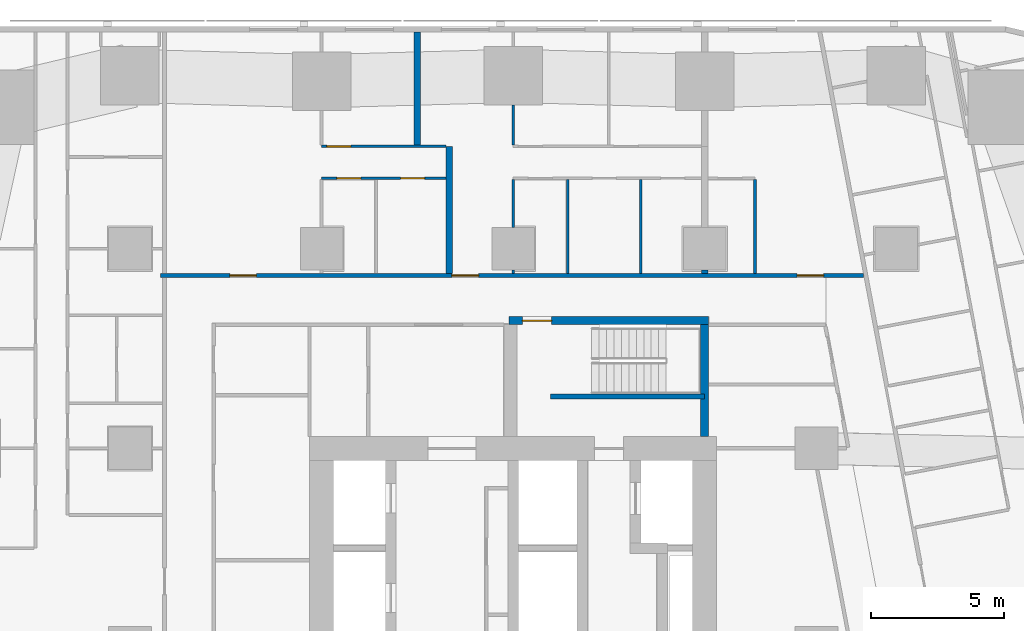
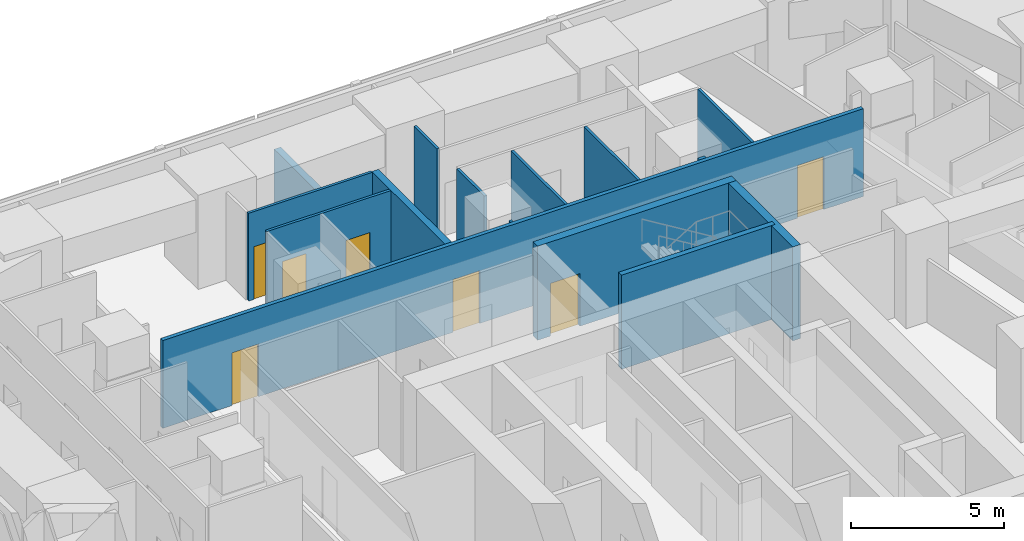
# One storey, part 10 of 17: 15 walls, 7 doors, 7 openings.
"""IFC4 building model written with IfcOpenShell, lengths in metres."""

from ifc_helpers import new_model, si_unit, direction, frame, frame_2d, origin, place, context, subcontext, project, spatial, rectangle, extrude, material, layer, layer_set, type_object, element, fill, save


model = new_model("IFC4")

# Units and contexts
model_context = context("Model", 3, precision=1e-05, world=origin(), true_north=direction((0.0, 1.0)))
body_context = subcontext(model_context, "Body", "Model", "MODEL_VIEW")
ifc_project = project(units=[si_unit("LENGTHUNIT", "METRE"), si_unit("AREAUNIT", "SQUARE_METRE"), si_unit("VOLUMEUNIT", "CUBIC_METRE"), si_unit("PLANEANGLEUNIT", "RADIAN"), si_unit("MASSUNIT", "GRAM", prefix="KILO")], contexts=[model_context])

# Site, building, storey
site_placement = place(None, origin())
site = spatial("IfcSite", under=ifc_project, at=site_placement, CompositionType="ELEMENT")
building_placement = place(site_placement, origin())
building = spatial("IfcBuilding", under=site, at=building_placement, Name="Sheger Commons Tower", CompositionType="ELEMENT")
storey_placement = place(building_placement, frame((0.0, 0.0, 119.14990234375)))
storey = spatial("IfcBuildingStorey", under=building, at=storey_placement, Name="L30", CompositionType="ELEMENT", Elevation=119.14990234375)

# Wall, openings, doors
ifc_material_1 = material(Name="Hollow concrete block masonry, skimmed both sides", Category="masonry")
ifc_layer_1 = layer(ifc_material_1, 0.14990234375)
ifc_layer_set_1 = layer_set([ifc_layer_1], Name="CORRIDOR WALL 150")
wall_type_1 = type_object("IfcWallType", Name="CORRIDOR WALL 150", PredefinedType="SOLIDWALL", material=ifc_layer_set_1)
wall_1_placement = place(storey_placement, frame((8.35009765625, 36.5, 0.0), z_axis=(0.0, 0.0, 1.0), x_axis=(1.0, 0.0, 0.0)))
wall_1 = element("IfcWall", 1, at=wall_1_placement, inside=storey, type_object=wall_type_1, Name="Corridor wall L30", PredefinedType="SOLIDWALL", context=body_context, shape_type="SweptSolid", body=[
    extrude(rectangle(XDim=26.414794921875, YDim=0.14990234375, at=frame_2d((13.20751953125, 0.0))), origin(), (0.0, 0.0, 1.0), 3.5),
])
opening_1_placement = place(wall_1_placement, frame((2.60009765625, 0.0, 0.0)))
opening_1 = element("IfcOpeningElement", 2, at=opening_1_placement, cuts=wall_1, Name="Opening D1", PredefinedType="OPENING", context=body_context, shape_type="SweptSolid", body=[
    extrude(rectangle(XDim=1.0, YDim=2.10009765625, at=frame_2d((0.5, 1.050048828125))), frame((0.0, 0.0849609375, 0.0), z_axis=(0.0, -1.0, 0.0), x_axis=(1.0, 0.0, 0.0)), (0.0, 0.0, 1.0), 0.169921875),
])
opening_2_placement = place(wall_1_placement, frame((10.948974609375, 0.0, 0.0)))
opening_2 = element("IfcOpeningElement", 3, at=opening_2_placement, cuts=wall_1, Name="Opening D1", PredefinedType="OPENING", context=body_context, shape_type="SweptSolid", body=[
    extrude(rectangle(XDim=1.0, YDim=2.10009765625, at=frame_2d((0.5, 1.050048828125))), frame((0.0, 0.0849609375, 0.0), z_axis=(0.0, -1.0, 0.0), x_axis=(1.0, 0.0, 0.0)), (0.0, 0.0, 1.0), 0.169921875),
])
opening_3_placement = place(wall_1_placement, frame((23.923095703125, 0.0, 0.0)))
opening_3 = element("IfcOpeningElement", 4, at=opening_3_placement, cuts=wall_1, Name="Opening D1", PredefinedType="OPENING", context=body_context, shape_type="SweptSolid", body=[
    extrude(rectangle(XDim=1.0, YDim=2.10009765625, at=frame_2d((0.5, 1.050048828125))), frame((0.0, 0.0849609375, 0.0), z_axis=(0.0, -1.0, 0.0), x_axis=(1.0, 0.0, 0.0)), (0.0, 0.0, 1.0), 0.169921875),
])
ifc_material_2 = material(Name="Steel door set, fire rated", Category="steel")
door_type_1 = type_object("IfcDoorType", Name="FLAT ENTRANCE DOOR 1000x2100", OperationType="NOTDEFINED", PredefinedType="DOOR", material=ifc_material_2)
door_1_placement = place(opening_1_placement, origin())
door_1 = element("IfcDoor", 5, at=door_1_placement, inside=storey, type_object=door_type_1, Name="Flat entrance door", OperationType="SINGLE_SWING_LEFT", OverallHeight=2.10009765625, OverallWidth=1.0, PredefinedType="DOOR", context=body_context, shape_type="SweptSolid", body=[
    extrude(rectangle(XDim=1.0, YDim=2.10009765625, at=frame_2d((0.5, 1.050048828125))), frame((0.0, 0.02490234375, 0.0), z_axis=(0.0, -1.0, 0.0), x_axis=(1.0, 0.0, 0.0)), (0.0, 0.0, 1.0), 0.050048828125),
])
fill(opening_1, door_1)
door_2_placement = place(opening_2_placement, origin())
door_2 = element("IfcDoor", 6, at=door_2_placement, inside=storey, type_object=door_type_1, Name="Flat entrance door", OperationType="SINGLE_SWING_LEFT", OverallHeight=2.10009765625, OverallWidth=1.0, PredefinedType="DOOR", context=body_context, shape_type="SweptSolid", body=[
    extrude(rectangle(XDim=1.0, YDim=2.10009765625, at=frame_2d((0.5, 1.050048828125))), frame((0.0, 0.02490234375, 0.0), z_axis=(0.0, -1.0, 0.0), x_axis=(1.0, 0.0, 0.0)), (0.0, 0.0, 1.0), 0.050048828125),
])
fill(opening_2, door_2)
door_3_placement = place(opening_3_placement, origin())
door_3 = element("IfcDoor", 7, at=door_3_placement, inside=storey, type_object=door_type_1, Name="Flat entrance door", OperationType="SINGLE_SWING_RIGHT", OverallHeight=2.10009765625, OverallWidth=1.0, PredefinedType="DOOR", context=body_context, shape_type="SweptSolid", body=[
    extrude(rectangle(XDim=1.0, YDim=2.10009765625, at=frame_2d((0.5, 1.050048828125))), frame((0.0, 0.02490234375, 0.0), z_axis=(0.0, -1.0, 0.0), x_axis=(1.0, 0.0, 0.0)), (0.0, 0.0, 1.0), 0.050048828125),
])
fill(opening_3, door_3)

# Walls
ifc_material_3 = material(Name="Dense concrete block masonry, plastered both sides (separating wall between flats)", Category="masonry")
ifc_layer_2 = layer(ifc_material_3, 0.25)
ifc_layer_set_2 = layer_set([ifc_layer_2], Name="DEMISING WALL 250")
wall_type_2 = type_object("IfcWallType", Name="DEMISING WALL 250", PredefinedType="SOLIDWALL", material=ifc_layer_set_2)
wall_2_placement = place(storey_placement, frame((18.0, 41.39990234375, 0.0), z_axis=(0.0, 0.0, 1.0), x_axis=(0.0, 1.0, 0.0)))
element("IfcWall", 8, at=wall_2_placement, inside=storey, type_object=wall_type_2, Name="Demising wall L30", PredefinedType="SOLIDWALL", context=body_context, shape_type="SweptSolid", body=[
    extrude(rectangle(XDim=4.25, YDim=0.25, at=frame_2d((2.125, 0.0))), origin(), (0.0, 0.0, 1.0), 2.2001953125),
])
wall_3_placement = place(storey_placement, frame((19.198974609375, 36.574951171875, 0.0), z_axis=(0.0, 0.0, 1.0), x_axis=(0.0, 1.0, 0.0)))
element("IfcWall", 9, at=wall_3_placement, inside=storey, type_object=wall_type_2, Name="Demising wall L30", PredefinedType="SOLIDWALL", context=body_context, shape_type="SweptSolid", body=[
    extrude(rectangle(XDim=4.775146484375, YDim=0.25, at=frame_2d((2.3876953125, 0.0))), origin(), (0.0, 0.0, 1.0), 3.5),
])
wall_4_placement = place(storey_placement, frame((28.800048828125, 36.574951171875, 0.0), z_axis=(0.0, 0.0, 1.0), x_axis=(0.0, 1.0, 0.0)))
element("IfcWall", 10, at=wall_4_placement, inside=storey, type_object=wall_type_2, Name="Demising wall L30", PredefinedType="SOLIDWALL", context=body_context, shape_type="SweptSolid", body=[
    extrude(rectangle(XDim=0.1240234375, YDim=0.25, at=frame_2d((0.06201171875, 0.0))), origin(), (0.0, 0.0, 1.0), 3.5),
])

# Wall, opening, door
ifc_material_4 = material(Name="Gypsum board on steel studs", Category="steel")
ifc_layer_3 = layer(ifc_material_4, 0.10009765625)
ifc_layer_set_3 = layer_set([ifc_layer_3], Name="PARTITION 100")
wall_type_3 = type_object("IfcWallType", Name="PARTITION 100", PredefinedType="PARTITIONING", material=ifc_layer_set_3)
wall_5_placement = place(storey_placement, frame((14.39990234375, 41.35009765625, 0.0), z_axis=(0.0, 0.0, 1.0), x_axis=(1.0, 0.0, 0.0)))
wall_5 = element("IfcWall", 11, at=wall_5_placement, inside=storey, type_object=wall_type_3, Name="Partition L30", PredefinedType="PARTITIONING", context=body_context, shape_type="SweptSolid", body=[
    extrude(rectangle(XDim=4.674072265625, YDim=0.10009765625, at=frame_2d((2.3369140625, 0.0))), origin(), (0.0, 0.0, 1.0), 3.5),
])
opening_4_placement = place(wall_5_placement, frame((0.199951171875, 0.0, 0.0)))
opening_4 = element("IfcOpeningElement", 12, at=opening_4_placement, cuts=wall_5, Name="Opening D2", PredefinedType="OPENING", context=body_context, shape_type="SweptSolid", body=[
    extrude(rectangle(XDim=0.89990234375, YDim=2.10009765625, at=frame_2d((0.449951171875, 1.050048828125))), frame((0.0, 0.06005859375, 0.0), z_axis=(0.0, -1.0, 0.0), x_axis=(1.0, 0.0, 0.0)), (0.0, 0.0, 1.0), 0.1201171875),
])
ifc_material_5 = material(Name="Timber door set", Category="wood")
door_type_2 = type_object("IfcDoorType", Name="INTERNAL DOOR 900x2100", OperationType="NOTDEFINED", PredefinedType="DOOR", material=ifc_material_5)
door_4_placement = place(opening_4_placement, origin())
door_4 = element("IfcDoor", 13, at=door_4_placement, inside=storey, type_object=door_type_2, Name="Main bedroom door", OperationType="SINGLE_SWING_LEFT", OverallHeight=2.10009765625, OverallWidth=0.89990234375, PredefinedType="DOOR", context=body_context, shape_type="SweptSolid", body=[
    extrude(rectangle(XDim=0.89990234375, YDim=2.10009765625, at=frame_2d((0.449951171875, 1.050048828125))), frame((0.0, 0.02490234375, 0.0), z_axis=(0.0, -1.0, 0.0), x_axis=(1.0, 0.0, 0.0)), (0.0, 0.0, 1.0), 0.050048828125),
])
fill(opening_4, door_4)

# Wall, openings, doors
wall_6_placement = place(storey_placement, frame((14.39990234375, 40.14990234375, 0.0), z_axis=(0.0, 0.0, 1.0), x_axis=(1.0, 0.0, 0.0)))
wall_6 = element("IfcWall", 14, at=wall_6_placement, inside=storey, type_object=wall_type_3, Name="Partition L30", PredefinedType="PARTITIONING", context=body_context, shape_type="SweptSolid", body=[
    extrude(rectangle(XDim=4.674072265625, YDim=0.10009765625, at=frame_2d((2.3369140625, 0.0))), origin(), (0.0, 0.0, 1.0), 3.5),
])
opening_5_placement = place(wall_6_placement, frame((0.574951171875, 0.0, 0.0)))
opening_5 = element("IfcOpeningElement", 15, at=opening_5_placement, cuts=wall_6, Name="Opening D2", PredefinedType="OPENING", context=body_context, shape_type="SweptSolid", body=[
    extrude(rectangle(XDim=0.89990234375, YDim=2.10009765625, at=frame_2d((0.449951171875, 1.050048828125))), frame((0.0, 0.06005859375, 0.0), z_axis=(0.0, -1.0, 0.0), x_axis=(1.0, 0.0, 0.0)), (0.0, 0.0, 1.0), 0.1201171875),
])
opening_6_placement = place(wall_6_placement, frame((2.97509765625, 0.0, 0.0)))
opening_6 = element("IfcOpeningElement", 16, at=opening_6_placement, cuts=wall_6, Name="Opening D2", PredefinedType="OPENING", context=body_context, shape_type="SweptSolid", body=[
    extrude(rectangle(XDim=0.89990234375, YDim=2.10009765625, at=frame_2d((0.449951171875, 1.050048828125))), frame((0.0, 0.06005859375, 0.0), z_axis=(0.0, -1.0, 0.0), x_axis=(1.0, 0.0, 0.0)), (0.0, 0.0, 1.0), 0.1201171875),
])
door_5_placement = place(opening_5_placement, origin())
door_5 = element("IfcDoor", 17, at=door_5_placement, inside=storey, type_object=door_type_2, Name="Bathroom door", OperationType="SINGLE_SWING_RIGHT", OverallHeight=2.10009765625, OverallWidth=0.89990234375, PredefinedType="DOOR", context=body_context, shape_type="SweptSolid", body=[
    extrude(rectangle(XDim=0.89990234375, YDim=2.10009765625, at=frame_2d((0.449951171875, 1.050048828125))), frame((0.0, 0.02490234375, 0.0), z_axis=(0.0, -1.0, 0.0), x_axis=(1.0, 0.0, 0.0)), (0.0, 0.0, 1.0), 0.050048828125),
])
fill(opening_5, door_5)
door_6_placement = place(opening_6_placement, origin())
door_6 = element("IfcDoor", 18, at=door_6_placement, inside=storey, type_object=door_type_2, Name="Store door", OperationType="SINGLE_SWING_LEFT", OverallHeight=2.10009765625, OverallWidth=0.89990234375, PredefinedType="DOOR", context=body_context, shape_type="SweptSolid", body=[
    extrude(rectangle(XDim=0.89990234375, YDim=2.10009765625, at=frame_2d((0.449951171875, 1.050048828125))), frame((0.0, 0.02490234375, 0.0), z_axis=(0.0, -1.0, 0.0), x_axis=(1.0, 0.0, 0.0)), (0.0, 0.0, 1.0), 0.050048828125),
])
fill(opening_6, door_6)

# Walls
wall_7_placement = place(storey_placement, frame((21.60009765625, 41.39990234375, 0.0), z_axis=(0.0, 0.0, 1.0), x_axis=(0.0, 1.0, 0.0)))
element("IfcWall", 19, at=wall_7_placement, inside=storey, type_object=wall_type_3, Name="Partition L30", PredefinedType="PARTITIONING", context=body_context, shape_type="SweptSolid", body=[
    extrude(rectangle(XDim=1.4990234375, YDim=0.10009765625, at=frame_2d((0.74951171875, 0.0))), origin(), (0.0, 0.0, 1.0), 3.5),
])
wall_8_placement = place(storey_placement, frame((21.60009765625, 36.574951171875, 0.0), z_axis=(0.0, 0.0, 1.0), x_axis=(0.0, 1.0, 0.0)))
element("IfcWall", 20, at=wall_8_placement, inside=storey, type_object=wall_type_3, Name="Partition L30", PredefinedType="PARTITIONING", context=body_context, shape_type="SweptSolid", body=[
    extrude(rectangle(XDim=0.1240234375, YDim=0.10009765625, at=frame_2d((0.06201171875, 0.0))), origin(), (0.0, 0.0, 1.0), 3.5),
])
wall_9_placement = place(storey_placement, frame((21.60009765625, 38.301025390625, 0.0), z_axis=(0.0, 0.0, 1.0), x_axis=(0.0, 1.0, 0.0)))
element("IfcWall", 21, at=wall_9_placement, inside=storey, type_object=wall_type_3, Name="Partition L30", PredefinedType="PARTITIONING", context=body_context, shape_type="SweptSolid", body=[
    extrude(rectangle(XDim=1.799072265625, YDim=0.10009765625, at=frame_2d((0.8994140625, 0.0))), origin(), (0.0, 0.0, 1.0), 3.5),
])
for number, where, z_axis, x_axis, name in (
    (22, (26.39892578125, 36.574951171875, 0.0), (0.0, 0.0, 1.0), (0.0, 1.0, 0.0), "Partition L30"),
    (23, (23.64990234375, 36.574951171875, 0.0), (0.0, 0.0, 1.0), (0.0, 1.0, 0.0), "Partition L30"),
    (24, (30.68994140625, 36.574951171875, 0.0), (0.0, 0.0, 1.0), (0.0, 1.0, 0.0), "Partition L30"),
):
    element("IfcWall", number, at=place(storey_placement, frame(where, z_axis=z_axis, x_axis=x_axis)), inside=storey, type_object=wall_type_3, Name=name, PredefinedType="PARTITIONING", context=body_context, shape_type="SweptSolid", body=[
        extrude(rectangle(XDim=3.525146484375, YDim=0.10009765625, at=frame_2d((1.7626953125, 0.0))), origin(), (0.0, 0.0, 1.0), 3.5),
    ])

# Wall, opening, door
ifc_material_6 = material(Name="Concrete C50/60", Category="concrete")
ifc_layer_4 = layer(ifc_material_6, 0.300048828125)
ifc_layer_set_4 = layer_set([ifc_layer_4], Name="STAIR CORE WALL 300")
wall_type_4 = type_object("IfcWallType", Name="STAIR CORE WALL 300", PredefinedType="SHEAR", material=ifc_layer_set_4)
wall_10_placement = place(storey_placement, frame((21.449951171875, 34.800048828125, 0.0), z_axis=(0.0, 0.0, 1.0), x_axis=(1.0, 0.0, 0.0)))
wall_10 = element("IfcWall", 25, at=wall_10_placement, inside=storey, type_object=wall_type_4, Name="STW-L30-S2N", PredefinedType="SHEAR", context=body_context, shape_type="SweptSolid", body=[
    extrude(rectangle(XDim=7.5, YDim=0.300048828125, at=frame_2d((3.75, 0.0))), origin(), (0.0, 0.0, 1.0), 3.75),
])
opening_7_placement = place(wall_10_placement, frame((0.5, 0.0, 0.0)))
opening_7 = element("IfcOpeningElement", 26, at=opening_7_placement, cuts=wall_10, Name="Opening D5", PredefinedType="OPENING", context=body_context, shape_type="SweptSolid", body=[
    extrude(rectangle(XDim=1.10009765625, YDim=2.10009765625, at=frame_2d((0.550048828125, 1.050048828125))), frame((0.0, 0.159912109375, 0.0), z_axis=(0.0, -1.0, 0.0), x_axis=(1.0, 0.0, 0.0)), (0.0, 0.0, 1.0), 0.320068359375),
])
ifc_material_7 = material(Name="Steel door set, fire rated", Category="steel")
door_type_3 = type_object("IfcDoorType", Name="STAIR DOOR 1100x2100", OperationType="NOTDEFINED", PredefinedType="DOOR", material=ifc_material_7)
door_7_placement = place(opening_7_placement, origin())
door_7 = element("IfcDoor", 27, at=door_7_placement, inside=storey, type_object=door_type_3, Name="Stair S2 door", OperationType="SINGLE_SWING_RIGHT", OverallHeight=2.10009765625, OverallWidth=1.10009765625, PredefinedType="DOOR", context=body_context, shape_type="SweptSolid", body=[
    extrude(rectangle(XDim=1.10009765625, YDim=2.10009765625, at=frame_2d((0.550048828125, 1.050048828125))), frame((0.0, 0.02490234375, 0.0), z_axis=(0.0, -1.0, 0.0), x_axis=(1.0, 0.0, 0.0)), (0.0, 0.0, 1.0), 0.050048828125),
])
fill(opening_7, door_7)

# Walls
wall_11_placement = place(storey_placement, frame((28.800048828125, 30.449951171875, 0.0), z_axis=(0.0, 0.0, 1.0), x_axis=(0.0, 1.0, 0.0)))
element("IfcWall", 28, at=wall_11_placement, inside=storey, type_object=wall_type_4, Name="STW-L30-S2E", PredefinedType="SHEAR", context=body_context, shape_type="SweptSolid", body=[
    extrude(rectangle(XDim=4.199951171875, YDim=0.300048828125, at=frame_2d((2.10009765625, 0.0))), origin(), (0.0, 0.0, 1.0), 3.75),
])
ifc_material_8 = material(Name="Concrete C50/60", Category="concrete")
ifc_layer_5 = layer(ifc_material_8, 0.199951171875)
ifc_layer_set_5 = layer_set([ifc_layer_5], Name="STAIR SPINE WALL 200")
wall_type_5 = type_object("IfcWallType", Name="STAIR SPINE WALL 200", PredefinedType="SHEAR", material=ifc_layer_set_5)
wall_12_placement = place(storey_placement, frame((23.0, 31.949951171875, 0.0), z_axis=(0.0, 0.0, 1.0), x_axis=(1.0, 0.0, 0.0)))
element("IfcWall", 29, at=wall_12_placement, inside=storey, type_object=wall_type_5, Name="Stair spine wall L30", PredefinedType="SHEAR", context=body_context, shape_type="SweptSolid", body=[
    extrude(rectangle(XDim=5.800048828125, YDim=0.199951171875, at=frame_2d((2.89990234375, 0.0))), origin(), (0.0, 0.0, 1.0), 3.75),
])

save(model, "model.ifc")
